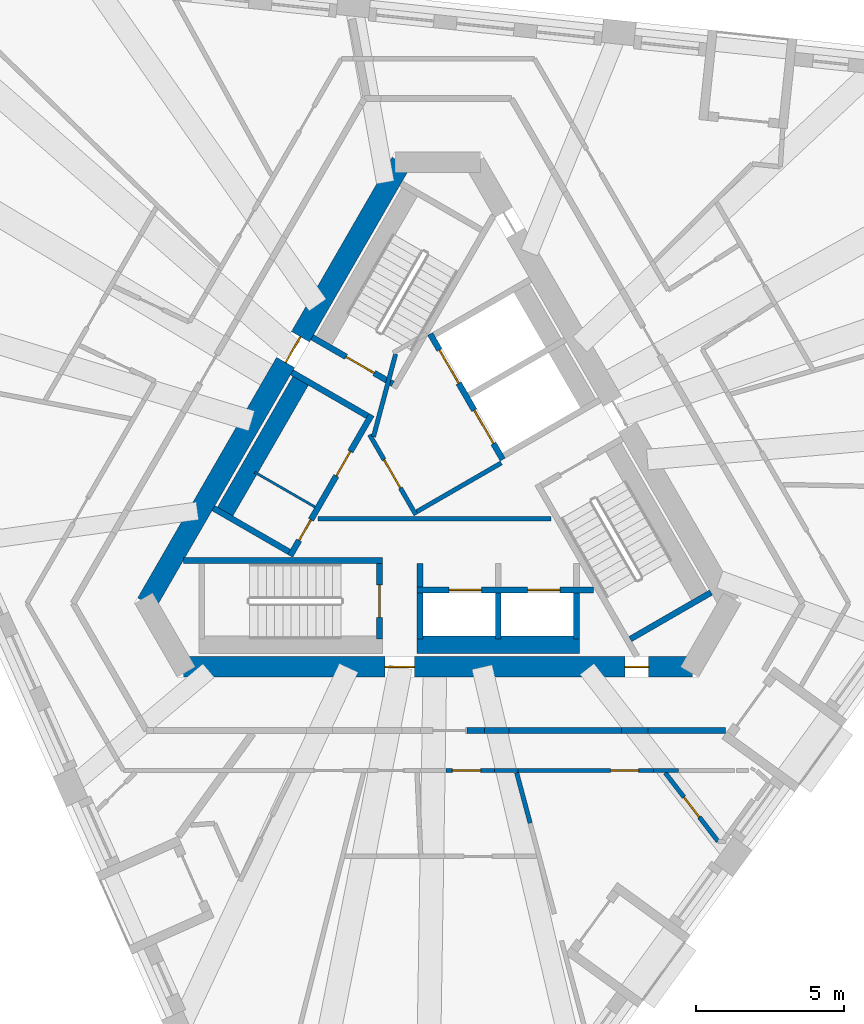
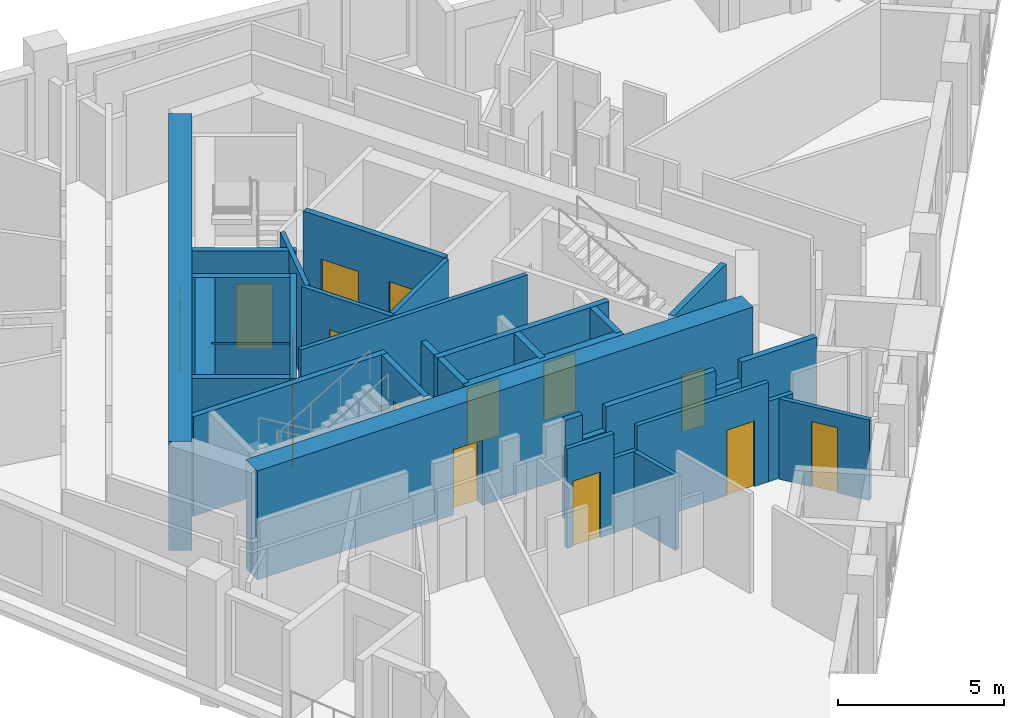
# One storey, part 4 of 11: 33 walls, 15 doors, 15 openings.
"""IFC4 building model written with IfcOpenShell, lengths in metres."""

from ifc_helpers import new_model, si_unit, direction, frame, frame_2d, origin, place, context, subcontext, project, spatial, rectangle, extrude, material, layer, layer_set, type_object, element, fill, save


model = new_model("IFC4")

# Units and contexts
model_context = context("Model", 3, precision=1e-05, world=origin(), true_north=direction((0.0, 1.0)))
body_context = subcontext(model_context, "Body", "Model", "MODEL_VIEW")
ifc_project = project(units=[si_unit("LENGTHUNIT", "METRE"), si_unit("AREAUNIT", "SQUARE_METRE"), si_unit("VOLUMEUNIT", "CUBIC_METRE"), si_unit("PLANEANGLEUNIT", "RADIAN"), si_unit("MASSUNIT", "GRAM", prefix="KILO")], contexts=[model_context])

# Site, building, storey
site_placement = place(None, origin())
site = spatial("IfcSite", under=ifc_project, at=site_placement, CompositionType="ELEMENT")
building_placement = place(site_placement, origin())
building = spatial("IfcBuilding", under=site, at=building_placement, Name="Tramontana Tower", CompositionType="ELEMENT")
storey_placement = place(building_placement, frame((0.0, 0.0, 257.199951171875)))
storey = spatial("IfcBuildingStorey", under=building, at=storey_placement, Name="L60", CompositionType="ELEMENT", Elevation=257.199951171875)

# Wall, opening, door
ifc_material_1 = material(Name="Concrete 70 MPa", Category="concrete")
ifc_layer_1 = layer(ifc_material_1, 0.699951171875)
ifc_layer_set_1 = layer_set([ifc_layer_1], Name="Core wall 700 70 MPa")
wall_type_1 = type_object("IfcWallType", Name="Core wall 700 70 MPa", PredefinedType="SHEAR", material=ifc_layer_set_1)
wall_1_placement = place(storey_placement, frame((-1.2412109375, 10.64990234375, 0.0), z_axis=(0.0, 0.0, 1.0), x_axis=(-0.500003331888, -0.866023480109, 0.0)))
wall_1 = element("IfcWall", 1, at=wall_1_placement, inside=storey, type_object=wall_type_1, Name="Core wall C1 L60", PredefinedType="SHEAR", context=body_context, shape_type="SweptSolid", body=[
    extrude(rectangle(XDim=17.205078125, YDim=0.699951171875, at=frame_2d((8.6025390625, 0.0))), origin(), (0.0, 0.0, 1.0), 4.0),
])
opening_1_placement = place(wall_1_placement, frame((6.8076171875, 0.0, 0.0)))
opening_1 = element("IfcOpeningElement", 2, at=opening_1_placement, cuts=wall_1, Name="Opening RG1", PredefinedType="OPENING", context=body_context, shape_type="SweptSolid", body=[
    extrude(rectangle(XDim=1.0, YDim=2.39990234375, at=frame_2d((0.5, 1.199951171875))), frame((0.0, 0.35986328125, 0.0), z_axis=(0.0, -1.0, 0.0), x_axis=(1.0, 0.0, 0.0)), (0.0, 0.0, 1.0), 0.719970703125),
])
ifc_material_2 = material(Name="Painted steel", Category="steel")
door_type_1 = type_object("IfcDoorType", Name="RING DOOR 1000", OperationType="SINGLE_SWING_LEFT", PredefinedType="DOOR", material=ifc_material_2)
door_1_placement = place(opening_1_placement, origin())
door_1 = element("IfcDoor", 3, at=door_1_placement, inside=storey, type_object=door_type_1, Name="Door RG1", OperationType="SINGLE_SWING_RIGHT", OverallHeight=2.39990234375, OverallWidth=1.0, PredefinedType="DOOR", context=body_context, shape_type="SweptSolid", body=[
    extrude(rectangle(XDim=1.0, YDim=2.39990234375, at=frame_2d((0.5, 1.199951171875))), frame((0.0, 0.02490234375, 0.0), z_axis=(0.0, -1.0, 0.0), x_axis=(1.0, 0.0, 0.0)), (0.0, 0.0, 1.0), 0.050048828125),
])
fill(opening_1, door_1)

# Wall, openings, doors
wall_2_placement = place(storey_placement, frame((-8.6025390625, -6.39990234375, 0.0), z_axis=(0.0, 0.0, 1.0), x_axis=(1.0, 0.0, 0.0)))
wall_2 = element("IfcWall", 4, at=wall_2_placement, inside=storey, type_object=wall_type_1, Name="Core wall C3 L60", PredefinedType="SHEAR", context=body_context, shape_type="SweptSolid", body=[
    extrude(rectangle(XDim=17.205078125, YDim=0.699951171875, at=frame_2d((8.6025390625, 0.0))), origin(), (0.0, 0.0, 1.0), 4.0),
])
opening_2_placement = place(wall_2_placement, frame((6.8076171875, 0.0, 0.0)))
opening_2 = element("IfcOpeningElement", 5, at=opening_2_placement, cuts=wall_2, Name="Opening RG2", PredefinedType="OPENING", context=body_context, shape_type="SweptSolid", body=[
    extrude(rectangle(XDim=1.0, YDim=2.39990234375, at=frame_2d((0.5, 1.199951171875))), frame((0.0, 0.35986328125, 0.0), z_axis=(0.0, -1.0, 0.0), x_axis=(1.0, 0.0, 0.0)), (0.0, 0.0, 1.0), 0.719970703125),
])
opening_3_placement = place(wall_2_placement, frame((14.921630859375, 0.0, 0.0)))
opening_3 = element("IfcOpeningElement", 6, at=opening_3_placement, cuts=wall_2, Name="Opening PD2", PredefinedType="OPENING", context=body_context, shape_type="SweptSolid", body=[
    extrude(rectangle(XDim=0.800048828125, YDim=2.10009765625, at=frame_2d((0.39990234375, 1.050048828125))), frame((0.0, 0.35986328125, 0.0), z_axis=(0.0, -1.0, 0.0), x_axis=(1.0, 0.0, 0.0)), (0.0, 0.0, 1.0), 0.719970703125),
])
ifc_material_3 = material(Name="Painted steel", Category="steel")
door_type_2 = type_object("IfcDoorType", Name="CUPBOARD DOOR 800", OperationType="SINGLE_SWING_LEFT", PredefinedType="DOOR", material=ifc_material_3)
door_2_placement = place(opening_3_placement, origin())
door_2 = element("IfcDoor", 7, at=door_2_placement, inside=storey, type_object=door_type_2, Name="Door PD2", OperationType="SINGLE_SWING_LEFT", OverallHeight=2.10009765625, OverallWidth=0.800048828125, PredefinedType="DOOR", context=body_context, shape_type="SweptSolid", body=[
    extrude(rectangle(XDim=0.800048828125, YDim=2.10009765625, at=frame_2d((0.39990234375, 1.050048828125))), frame((0.0, 0.02490234375, 0.0), z_axis=(0.0, -1.0, 0.0), x_axis=(1.0, 0.0, 0.0)), (0.0, 0.0, 1.0), 0.050048828125),
])
fill(opening_3, door_2)
door_3_placement = place(opening_2_placement, origin())
door_3 = element("IfcDoor", 8, at=door_3_placement, inside=storey, type_object=door_type_1, Name="Door RG2", OperationType="SINGLE_SWING_LEFT", OverallHeight=2.39990234375, OverallWidth=1.0, PredefinedType="DOOR", context=body_context, shape_type="SweptSolid", body=[
    extrude(rectangle(XDim=1.0, YDim=2.39990234375, at=frame_2d((0.5, 1.199951171875))), frame((0.0, 0.02490234375, 0.0), z_axis=(0.0, -1.0, 0.0), x_axis=(1.0, 0.0, 0.0)), (0.0, 0.0, 1.0), 0.050048828125),
])
fill(opening_2, door_3)

# Walls
ifc_material_4 = material(Name="Blockwork", Category="masonry")
ifc_layer_2 = layer(ifc_material_4, 0.199951171875)
ifc_layer_set_2 = layer_set([ifc_layer_2], Name="ENTRY WALL 200")
wall_type_2 = type_object("IfcWallType", Name="ENTRY WALL 200", PredefinedType="SOLIDWALL", material=ifc_layer_set_2)
wall_3_placement = place(storey_placement, frame((9.724609375, -8.550048828125, 0.0), z_axis=(0.0, 0.0, 1.0), x_axis=(-1.0, 0.0, 0.0)))
element("IfcWall", 9, at=wall_3_placement, inside=storey, type_object=wall_type_2, Name="Wall v61-ew1-0", PredefinedType="SOLIDWALL", context=body_context, shape_type="SweptSolid", body=[
    extrude(rectangle(XDim=2.62548828125, YDim=0.199951171875, at=frame_2d((1.312744140625, 0.0))), origin(), (0.0, 0.0, 1.0), 3.650146484375),
])
wall_4_placement = place(storey_placement, frame((7.09912109375, -8.550048828125, 0.0), z_axis=(0.0, 0.0, 1.0), x_axis=(-1.0, 0.0, 0.0)))
element("IfcWall", 10, at=wall_4_placement, inside=storey, type_object=wall_type_2, Name="Wall v61-ew1-1", PredefinedType="SOLIDWALL", context=body_context, shape_type="SweptSolid", body=[
    extrude(rectangle(XDim=0.88720703125, YDim=0.199951171875, at=frame_2d((0.443603515625, 0.0))), origin(), (0.0, 0.0, 1.0), 2.949951171875),
])
wall_5_placement = place(storey_placement, frame((6.2119140625, -8.550048828125, 0.0), z_axis=(0.0, 0.0, 1.0), x_axis=(-1.0, 0.0, 0.0)))
element("IfcWall", 11, at=wall_5_placement, inside=storey, type_object=wall_type_2, Name="Wall v61-ew1-2", PredefinedType="SOLIDWALL", context=body_context, shape_type="SweptSolid", body=[
    extrude(rectangle(XDim=3.810546875, YDim=0.199951171875, at=frame_2d((1.9052734375, 0.0))), origin(), (0.0, 0.0, 1.0), 3.650146484375),
])
wall_6_placement = place(storey_placement, frame((2.4013671875, -8.550048828125, 0.0), z_axis=(0.0, 0.0, 1.0), x_axis=(-1.0, 0.0, 0.0)))
element("IfcWall", 12, at=wall_6_placement, inside=storey, type_object=wall_type_2, Name="Wall v61-ew1-3", PredefinedType="SOLIDWALL", context=body_context, shape_type="SweptSolid", body=[
    extrude(rectangle(XDim=0.8212890625, YDim=0.199951171875, at=frame_2d((0.41064453125, 0.0))), origin(), (0.0, 0.0, 1.0), 2.75),
])
wall_7_placement = place(storey_placement, frame((1.580078125, -8.550048828125, 0.0), z_axis=(0.0, 0.0, 1.0), x_axis=(-1.0, 0.0, 0.0)))
element("IfcWall", 13, at=wall_7_placement, inside=storey, type_object=wall_type_2, Name="Wall v61-ew1-4", PredefinedType="SOLIDWALL", context=body_context, shape_type="SweptSolid", body=[
    extrude(rectangle(XDim=0.599609375, YDim=0.199951171875, at=frame_2d((0.2998046875, 0.0))), origin(), (0.0, 0.0, 1.0), 3.650146484375),
])

# Wall, opening, door
ifc_material_5 = material(Name="Gypsum board partition")
ifc_layer_3 = layer(ifc_material_5, 0.14990234375)
ifc_layer_set_3 = layer_set([ifc_layer_3], Name="PARTITION 150")
wall_type_3 = type_object("IfcWallType", Name="PARTITION 150", PredefinedType="PARTITIONING", material=ifc_layer_set_3)
wall_8_placement = place(storey_placement, frame((-0.744140625, -1.260986328125, 0.0), z_axis=(0.0, 0.0, 1.0), x_axis=(-0.500004234368, 0.866022959057, 0.0)))
wall_8 = element("IfcWall", 14, at=wall_8_placement, inside=storey, type_object=wall_type_3, Name="Wall ff-front", PredefinedType="PARTITIONING", context=body_context, shape_type="SweptSolid", body=[
    extrude(rectangle(XDim=3.125, YDim=0.14990234375, at=frame_2d((1.5625, 0.0))), origin(), (0.0, 0.0, 1.0), 3.650146484375),
])
opening_4_placement = place(wall_8_placement, frame((1.050048828125, 0.0, 0.0)))
opening_4 = element("IfcOpeningElement", 15, at=opening_4_placement, cuts=wall_8, Name="Opening FD1", PredefinedType="OPENING", context=body_context, shape_type="SweptSolid", body=[
    extrude(rectangle(XDim=1.10009765625, YDim=2.39990234375, at=frame_2d((0.550048828125, 1.199951171875))), frame((0.0, 0.0849609375, 0.0), z_axis=(0.0, -1.0, 0.0), x_axis=(1.0, 0.0, 0.0)), (0.0, 0.0, 1.0), 0.169921875),
])
ifc_material_6 = material(Name="Painted timber", Category="wood")
door_type_3 = type_object("IfcDoorType", Name="DOOR ENTRY 1100", OperationType="SINGLE_SWING_LEFT", PredefinedType="DOOR", material=ifc_material_6)
door_4_placement = place(opening_4_placement, origin())
door_4 = element("IfcDoor", 16, at=door_4_placement, inside=storey, type_object=door_type_3, Name="Door FD1", OperationType="SINGLE_SWING_LEFT", OverallHeight=2.39990234375, OverallWidth=1.10009765625, PredefinedType="DOOR", context=body_context, shape_type="SweptSolid", body=[
    extrude(rectangle(XDim=1.10009765625, YDim=2.39990234375, at=frame_2d((0.550048828125, 1.199951171875))), frame((0.0, 0.02490234375, 0.0), z_axis=(0.0, -1.0, 0.0), x_axis=(1.0, 0.0, 0.0)), (0.0, 0.0, 1.0), 0.050048828125),
])
fill(opening_4, door_4)

# Walls
wall_9_placement = place(storey_placement, frame((-0.716796875, -1.15869140625, 0.0), z_axis=(0.0, 0.0, 1.0), x_axis=(0.866008176907, 0.50002983664, 0.0)))
element("IfcWall", 17, at=wall_9_placement, inside=storey, type_object=wall_type_3, Name="Wall ff-end0", PredefinedType="PARTITIONING", context=body_context, shape_type="SweptSolid", body=[
    extrude(rectangle(XDim=3.300048828125, YDim=0.14990234375, at=frame_2d((1.64990234375, 0.0))), origin(), (0.0, 0.0, 1.0), 3.650146484375),
])
wall_10_placement = place(storey_placement, frame((-2.177978515625, 1.372314453125, 0.0), z_axis=(0.0, 0.0, 1.0), x_axis=(0.258808958833, 0.96592852884, 0.0)))
element("IfcWall", 18, at=wall_10_placement, inside=storey, type_object=wall_type_3, Name="Wall ff-diag", PredefinedType="PARTITIONING", context=body_context, shape_type="SweptSolid", body=[
    extrude(rectangle(XDim=2.902587890625, YDim=0.14990234375, at=frame_2d((1.451171875, 0.0))), origin(), (0.0, 0.0, 1.0), 3.650146484375),
])
wall_11_placement = place(storey_placement, frame((-4.053466796875, -1.39990234375, 0.0), z_axis=(0.0, 0.0, 1.0), x_axis=(1.0, 0.0, 0.0)))
element("IfcWall", 19, at=wall_11_placement, inside=storey, type_object=wall_type_3, Name="Wall hub-cut1", PredefinedType="PARTITIONING", context=body_context, shape_type="SweptSolid", body=[
    extrude(rectangle(XDim=7.8759765625, YDim=0.14990234375, at=frame_2d((3.93798828125, 0.0))), origin(), (0.0, 0.0, 1.0), 3.650146484375),
])
wall_12_placement = place(storey_placement, frame((2.662353515625, -9.97509765625, 0.0), z_axis=(0.0, 0.0, 1.0), x_axis=(0.25785226736, -0.966184355192, 0.0)))
element("IfcWall", 20, at=wall_12_placement, inside=storey, type_object=wall_type_3, Name="Wall v61-pw18-0", PredefinedType="PARTITIONING", context=body_context, shape_type="SweptSolid", body=[
    extrude(rectangle(XDim=1.762939453125, YDim=0.14990234375, at=frame_2d((0.88134765625, 0.0))), origin(), (0.0, 0.0, 1.0), 2.75),
])

# Wall, opening, door
wall_13_placement = place(storey_placement, frame((7.68017578125, -9.97509765625, 0.0), z_axis=(0.0, 0.0, 1.0), x_axis=(0.610056512493, -0.792357906229, 0.0)))
wall_13 = element("IfcWall", 21, at=wall_13_placement, inside=storey, type_object=wall_type_3, Name="Wall v61-pw26-0", PredefinedType="PARTITIONING", context=body_context, shape_type="SweptSolid", body=[
    extrude(rectangle(XDim=2.934326171875, YDim=0.14990234375, at=frame_2d((1.46728515625, 0.0))), origin(), (0.0, 0.0, 1.0), 2.949951171875),
])
opening_5_placement = place(wall_13_placement, frame((1.042236328125, 0.0, 0.0)))
opening_5 = element("IfcOpeningElement", 22, at=opening_5_placement, cuts=wall_13, Name="Opening B6B-13", PredefinedType="OPENING", context=body_context, shape_type="SweptSolid", body=[
    extrude(rectangle(XDim=0.85009765625, YDim=2.39990234375, at=frame_2d((0.425048828125, 1.199951171875))), frame((0.0, 0.0849609375, 0.0), z_axis=(0.0, -1.0, 0.0), x_axis=(1.0, 0.0, 0.0)), (0.0, 0.0, 1.0), 0.169921875),
])
ifc_material_7 = material(Name="Painted timber", Category="wood")
door_type_4 = type_object("IfcDoorType", Name="DOOR BATH 850", OperationType="SINGLE_SWING_LEFT", PredefinedType="DOOR", material=ifc_material_7)
door_5_placement = place(opening_5_placement, origin())
door_5 = element("IfcDoor", 23, at=door_5_placement, inside=storey, type_object=door_type_4, Name="Door B6B-13", OperationType="SINGLE_SWING_LEFT", OverallHeight=2.39990234375, OverallWidth=0.85009765625, PredefinedType="DOOR", context=body_context, shape_type="SweptSolid", body=[
    extrude(rectangle(XDim=0.85009765625, YDim=2.39990234375, at=frame_2d((0.425048828125, 1.199951171875))), frame((0.0, 0.02490234375, 0.0), z_axis=(0.0, -1.0, 0.0), x_axis=(1.0, 0.0, 0.0)), (0.0, 0.0, 1.0), 0.050048828125),
])
fill(opening_5, door_5)

# Wall
wall_14_placement = place(storey_placement, frame((8.134033203125, -9.89990234375, 0.0), z_axis=(0.0, 0.0, 1.0), x_axis=(-1.0, 0.0, 0.0)))
element("IfcWall", 24, at=wall_14_placement, inside=storey, type_object=wall_type_3, Name="Wall v61-pw28-1", PredefinedType="PARTITIONING", context=body_context, shape_type="SweptSolid", body=[
    extrude(rectangle(XDim=0.85546875, YDim=0.14990234375, at=frame_2d((0.427734375, 0.0))), origin(), (0.0, 0.0, 1.0), 2.949951171875),
])

# Wall, opening, door
wall_15_placement = place(storey_placement, frame((7.278564453125, -9.89990234375, 0.0), z_axis=(0.0, 0.0, 1.0), x_axis=(-1.0, 0.0, 0.0)))
wall_15 = element("IfcWall", 25, at=wall_15_placement, inside=storey, type_object=wall_type_3, Name="Wall v61-pw28-2", PredefinedType="PARTITIONING", context=body_context, shape_type="SweptSolid", body=[
    extrude(rectangle(XDim=4.57568359375, YDim=0.14990234375, at=frame_2d((2.287841796875, 0.0))), origin(), (0.0, 0.0, 1.0), 3.650146484375),
])
opening_6_placement = place(wall_15_placement, frame((0.492919921875, 0.0, 0.0)))
opening_6 = element("IfcOpeningElement", 26, at=opening_6_placement, cuts=wall_15, Name="Opening B6B-11", PredefinedType="OPENING", context=body_context, shape_type="SweptSolid", body=[
    extrude(rectangle(XDim=0.949951171875, YDim=2.39990234375, at=frame_2d((0.47509765625, 1.199951171875))), frame((0.0, 0.0849609375, 0.0), z_axis=(0.0, -1.0, 0.0), x_axis=(1.0, 0.0, 0.0)), (0.0, 0.0, 1.0), 0.169921875),
])
ifc_material_8 = material(Name="Painted timber", Category="wood")
door_type_5 = type_object("IfcDoorType", Name="DOOR ROOM 950", OperationType="SINGLE_SWING_LEFT", PredefinedType="DOOR", material=ifc_material_8)
door_6_placement = place(opening_6_placement, origin())
door_6 = element("IfcDoor", 27, at=door_6_placement, inside=storey, type_object=door_type_5, Name="Door B6B-11", OperationType="SINGLE_SWING_LEFT", OverallHeight=2.39990234375, OverallWidth=0.949951171875, PredefinedType="DOOR", context=body_context, shape_type="SweptSolid", body=[
    extrude(rectangle(XDim=0.949951171875, YDim=2.39990234375, at=frame_2d((0.47509765625, 1.199951171875))), frame((0.0, 0.02490234375, 0.0), z_axis=(0.0, -1.0, 0.0), x_axis=(1.0, 0.0, 0.0)), (0.0, 0.0, 1.0), 0.050048828125),
])
fill(opening_6, door_6)

# Wall
wall_16_placement = place(storey_placement, frame((2.702880859375, -9.89990234375, 0.0), z_axis=(0.0, 0.0, 1.0), x_axis=(-1.0, 0.0, 0.0)))
element("IfcWall", 28, at=wall_16_placement, inside=storey, type_object=wall_type_3, Name="Wall v61-pw28-3", PredefinedType="PARTITIONING", context=body_context, shape_type="SweptSolid", body=[
    extrude(rectangle(XDim=0.795654296875, YDim=0.14990234375, at=frame_2d((0.39794921875, 0.0))), origin(), (0.0, 0.0, 1.0), 2.75),
])

# Wall, opening, door
wall_17_placement = place(storey_placement, frame((1.9072265625, -9.89990234375, 0.0), z_axis=(0.0, 0.0, 1.0), x_axis=(-1.0, 0.0, 0.0)))
wall_17 = element("IfcWall", 29, at=wall_17_placement, inside=storey, type_object=wall_type_3, Name="Wall v61-pw28-4", PredefinedType="PARTITIONING", context=body_context, shape_type="SweptSolid", body=[
    extrude(rectangle(XDim=1.626220703125, YDim=0.14990234375, at=frame_2d((0.81298828125, 0.0))), origin(), (0.0, 0.0, 1.0), 3.650146484375),
])
opening_7_placement = place(wall_17_placement, frame((0.46484375, 0.0, 0.0)))
opening_7 = element("IfcOpeningElement", 30, at=opening_7_placement, cuts=wall_17, Name="Opening B6B-08", PredefinedType="OPENING", context=body_context, shape_type="SweptSolid", body=[
    extrude(rectangle(XDim=0.949951171875, YDim=2.39990234375, at=frame_2d((0.47509765625, 1.199951171875))), frame((0.0, 0.0849609375, 0.0), z_axis=(0.0, -1.0, 0.0), x_axis=(1.0, 0.0, 0.0)), (0.0, 0.0, 1.0), 0.169921875),
])
door_7_placement = place(opening_7_placement, origin())
door_7 = element("IfcDoor", 31, at=door_7_placement, inside=storey, type_object=door_type_5, Name="Door B6B-08", OperationType="SINGLE_SWING_RIGHT", OverallHeight=2.39990234375, OverallWidth=0.949951171875, PredefinedType="DOOR", context=body_context, shape_type="SweptSolid", body=[
    extrude(rectangle(XDim=0.949951171875, YDim=2.39990234375, at=frame_2d((0.47509765625, 1.199951171875))), frame((0.0, 0.02490234375, 0.0), z_axis=(0.0, -1.0, 0.0), x_axis=(1.0, 0.0, 0.0)), (0.0, 0.0, 1.0), 0.050048828125),
])
fill(opening_7, door_7)

# Walls
ifc_material_9 = material(Name="Gypsum board partition")
ifc_layer_4 = layer(ifc_material_9, 0.080078125)
ifc_layer_set_4 = layer_set([ifc_layer_4], Name="PARTITION 80")
wall_type_4 = type_object("IfcWallType", Name="PARTITION 80", PredefinedType="PARTITIONING", material=ifc_layer_set_4)
wall_18_placement = place(storey_placement, frame((-4.15478515625, -0.99609375, 0.0), z_axis=(0.0, 0.0, 1.0), x_axis=(-0.866016039709, 0.500016218704, 0.0)))
element("IfcWall", 32, at=wall_18_placement, inside=storey, type_object=wall_type_4, Name="Wall row0-split", PredefinedType="PARTITIONING", context=body_context, shape_type="SweptSolid", body=[
    extrude(rectangle(XDim=2.35009765625, YDim=0.080078125, at=frame_2d((1.175048828125, 0.0))), origin(), (0.0, 0.0, 1.0), 3.650146484375),
])
ifc_material_10 = material(Name="Concrete 70 MPa", Category="concrete")
ifc_layer_5 = layer(ifc_material_10, 0.60009765625)
ifc_layer_set_5 = layer_set([ifc_layer_5], Name="Concrete 70 MPa, 600 mm")
wall_type_5 = type_object("IfcWallType", Name="RC SHAFT BACK WALL 600", PredefinedType="SOLIDWALL", material=ifc_layer_set_5)
for number, where, z_axis, x_axis, name in (
    (33, (-4.5380859375, 3.43994140625, 0.0), (0.0, 0.0, 1.0), (-0.499996545922, -0.866027397988, 0.0), "Wall row0-back"),
    (34, (-0.7099609375, -5.64990234375, 0.0), (0.0, 0.0, 1.0), (1.0, 0.0, 0.0), "Wall row1-back"),
):
    element("IfcWall", number, at=place(storey_placement, frame(where, z_axis=z_axis, x_axis=x_axis)), inside=storey, type_object=wall_type_5, Name=name, PredefinedType="SOLIDWALL", context=body_context, shape_type="SweptSolid", body=[
        extrude(rectangle(XDim=5.5, YDim=0.60009765625, at=frame_2d((2.75, 0.0))), origin(), (0.0, 0.0, 1.0), 3.650146484375),
    ])

# Wall, opening, door
ifc_material_11 = material(Name="Concrete 70 MPa", Category="concrete")
ifc_layer_6 = layer(ifc_material_11, 0.199951171875)
ifc_layer_set_6 = layer_set([ifc_layer_6], Name="Concrete 70 MPa, 200 mm")
wall_type_6 = type_object("IfcWallType", Name="RC STAIR AND SHAFT WALL 200", PredefinedType="SOLIDWALL", material=ifc_layer_set_6)
wall_19_placement = place(storey_placement, frame((-1.521484375, 3.164794921875, 0.0), z_axis=(0.0, 0.0, 1.0), x_axis=(-0.866035871367, 0.499981869177, 0.0)))
wall_19 = element("IfcWall", 35, at=wall_19_placement, inside=storey, type_object=wall_type_6, Name="Wall st1-near", PredefinedType="SOLIDWALL", context=body_context, shape_type="SweptSolid", body=[
    extrude(rectangle(XDim=3.14990234375, YDim=0.199951171875, at=frame_2d((1.574951171875, 0.0))), origin(), (0.0, 0.0, 1.0), 3.650146484375),
])
opening_8_placement = place(wall_19_placement, frame((0.72509765625, 0.0, 0.0)))
opening_8 = element("IfcOpeningElement", 36, at=opening_8_placement, cuts=wall_19, Name="Opening SD1", PredefinedType="OPENING", context=body_context, shape_type="SweptSolid", body=[
    extrude(rectangle(XDim=1.10009765625, YDim=2.39990234375, at=frame_2d((0.550048828125, 1.199951171875))), frame((0.0, 0.10986328125, 0.0), z_axis=(0.0, -1.0, 0.0), x_axis=(1.0, 0.0, 0.0)), (0.0, 0.0, 1.0), 0.219970703125),
])
ifc_material_12 = material(Name="Painted steel", Category="steel")
door_type_6 = type_object("IfcDoorType", Name="STAIR DOOR 1100", OperationType="SINGLE_SWING_LEFT", PredefinedType="DOOR", material=ifc_material_12)
door_8_placement = place(opening_8_placement, origin())
door_8 = element("IfcDoor", 37, at=door_8_placement, inside=storey, type_object=door_type_6, Name="Door SD1", OperationType="SINGLE_SWING_RIGHT", OverallHeight=2.39990234375, OverallWidth=1.10009765625, PredefinedType="DOOR", context=body_context, shape_type="SweptSolid", body=[
    extrude(rectangle(XDim=1.10009765625, YDim=2.39990234375, at=frame_2d((0.550048828125, 1.199951171875))), frame((0.0, 0.02490234375, 0.0), z_axis=(0.0, -1.0, 0.0), x_axis=(1.0, 0.0, 0.0)), (0.0, 0.0, 1.0), 0.050048828125),
])
fill(opening_8, door_8)

# Wall
wall_20_placement = place(storey_placement, frame((-8.6025390625, -2.800048828125, 0.0), z_axis=(0.0, 0.0, 1.0), x_axis=(1.0, 0.0, 0.0)))
element("IfcWall", 38, at=wall_20_placement, inside=storey, type_object=wall_type_6, Name="Wall st2-front", PredefinedType="SOLIDWALL", context=body_context, shape_type="SweptSolid", body=[
    extrude(rectangle(XDim=6.72265625, YDim=0.199951171875, at=frame_2d((3.361328125, 0.0))), origin(), (0.0, 0.0, 1.0), 3.650146484375),
])

# Wall, opening, door
wall_21_placement = place(storey_placement, frame((-1.97998046875, -2.89990234375, 0.0), z_axis=(0.0, 0.0, 1.0), x_axis=(0.0, -1.0, 0.0)))
wall_21 = element("IfcWall", 39, at=wall_21_placement, inside=storey, type_object=wall_type_6, Name="Wall st2-near", PredefinedType="SOLIDWALL", context=body_context, shape_type="SweptSolid", body=[
    extrude(rectangle(XDim=2.550048828125, YDim=0.199951171875, at=frame_2d((1.27490234375, 0.0))), origin(), (0.0, 0.0, 1.0), 3.650146484375),
])
opening_9_placement = place(wall_21_placement, frame((0.72509765625, 0.0, 0.0)))
opening_9 = element("IfcOpeningElement", 40, at=opening_9_placement, cuts=wall_21, Name="Opening SD2", PredefinedType="OPENING", context=body_context, shape_type="SweptSolid", body=[
    extrude(rectangle(XDim=1.10009765625, YDim=2.39990234375, at=frame_2d((0.550048828125, 1.199951171875))), frame((0.0, 0.10986328125, 0.0), z_axis=(0.0, -1.0, 0.0), x_axis=(1.0, 0.0, 0.0)), (0.0, 0.0, 1.0), 0.219970703125),
])
door_9_placement = place(opening_9_placement, origin())
door_9 = element("IfcDoor", 41, at=door_9_placement, inside=storey, type_object=door_type_6, Name="Door SD2", OperationType="SINGLE_SWING_LEFT", OverallHeight=2.39990234375, OverallWidth=1.10009765625, PredefinedType="DOOR", context=body_context, shape_type="SweptSolid", body=[
    extrude(rectangle(XDim=1.10009765625, YDim=2.39990234375, at=frame_2d((0.550048828125, 1.199951171875))), frame((0.0, 0.02490234375, 0.0), z_axis=(0.0, -1.0, 0.0), x_axis=(1.0, 0.0, 0.0)), (0.0, 0.0, 1.0), 0.050048828125),
])
fill(opening_9, door_9)

# Wall
wall_22_placement = place(storey_placement, frame((6.50146484375, -5.4609375, 0.0), z_axis=(0.0, 0.0, 1.0), x_axis=(0.866035871367, 0.499981869177, 0.0)))
element("IfcWall", 42, at=wall_22_placement, inside=storey, type_object=wall_type_6, Name="Wall st3-far", PredefinedType="SOLIDWALL", context=body_context, shape_type="SweptSolid", body=[
    extrude(rectangle(XDim=3.14990234375, YDim=0.199951171875, at=frame_2d((1.574951171875, 0.0))), origin(), (0.0, 0.0, 1.0), 3.650146484375),
])

# Wall, openings, doors
wall_23_placement = place(storey_placement, frame((-4.9931640625, -2.648193359375, 0.0), z_axis=(0.0, 0.0, 1.0), x_axis=(0.499996545922, 0.866027397988, 0.0)))
wall_23 = element("IfcWall", 43, at=wall_23_placement, inside=storey, type_object=wall_type_6, Name="Wall row0-front", PredefinedType="SOLIDWALL", context=body_context, shape_type="SweptSolid", body=[
    extrude(rectangle(XDim=5.5, YDim=0.199951171875, at=frame_2d((2.75, 0.0))), origin(), (0.0, 0.0, 1.0), 3.650146484375),
])
opening_10_placement = place(wall_23_placement, frame((3.1201171875, 0.0, 0.0)))
opening_10 = element("IfcOpeningElement", 44, at=opening_10_placement, cuts=wall_23, Name="Opening RD-0A", PredefinedType="OPENING", context=body_context, shape_type="SweptSolid", body=[
    extrude(rectangle(XDim=0.949951171875, YDim=2.39990234375, at=frame_2d((0.47509765625, 1.199951171875))), frame((0.0, 0.10986328125, 0.0), z_axis=(0.0, -1.0, 0.0), x_axis=(1.0, 0.0, 0.0)), (0.0, 0.0, 1.0), 0.219970703125),
])
opening_11_placement = place(wall_23_placement, frame((0.60498046875, 0.0, 0.0)))
opening_11 = element("IfcOpeningElement", 45, at=opening_11_placement, cuts=wall_23, Name="Opening RD-0B", PredefinedType="OPENING", context=body_context, shape_type="SweptSolid", body=[
    extrude(rectangle(XDim=0.800048828125, YDim=2.10009765625, at=frame_2d((0.39990234375, 1.050048828125))), frame((0.0, 0.10986328125, 0.0), z_axis=(0.0, -1.0, 0.0), x_axis=(1.0, 0.0, 0.0)), (0.0, 0.0, 1.0), 0.219970703125),
])
door_10_placement = place(opening_11_placement, origin())
door_10 = element("IfcDoor", 46, at=door_10_placement, inside=storey, type_object=door_type_2, Name="Door RD-0B", OperationType="SINGLE_SWING_RIGHT", OverallHeight=2.10009765625, OverallWidth=0.800048828125, PredefinedType="DOOR", context=body_context, shape_type="SweptSolid", body=[
    extrude(rectangle(XDim=0.800048828125, YDim=2.10009765625, at=frame_2d((0.39990234375, 1.050048828125))), frame((0.0, 0.02490234375, 0.0), z_axis=(0.0, -1.0, 0.0), x_axis=(1.0, 0.0, 0.0)), (0.0, 0.0, 1.0), 0.050048828125),
])
fill(opening_11, door_10)
door_11_placement = place(opening_10_placement, origin())
door_11 = element("IfcDoor", 47, at=door_11_placement, inside=storey, type_object=door_type_5, Name="Door RD-0A", OperationType="SINGLE_SWING_LEFT", OverallHeight=2.39990234375, OverallWidth=0.949951171875, PredefinedType="DOOR", context=body_context, shape_type="SweptSolid", body=[
    extrude(rectangle(XDim=0.949951171875, YDim=2.39990234375, at=frame_2d((0.47509765625, 1.199951171875))), frame((0.0, 0.02490234375, 0.0), z_axis=(0.0, -1.0, 0.0), x_axis=(1.0, 0.0, 0.0)), (0.0, 0.0, 1.0), 0.050048828125),
])
fill(opening_10, door_11)

# Walls
for number, where, z_axis, x_axis, name in (
    (48, (-2.379638671875, 2.078369140625, 0.0), (0.0, 0.0, 1.0), (-0.866060182126, 0.499939757307, 0.0), "Wall row0-side0"),
    (49, (-5.02978515625, -2.51171875, 0.0), (0.0, 0.0, 1.0), (-0.866003658127, 0.500037662692, 0.0), "Wall row0-side2"),
):
    element("IfcWall", number, at=place(storey_placement, frame(where, z_axis=z_axis, x_axis=x_axis)), inside=storey, type_object=wall_type_6, Name=name, PredefinedType="SOLIDWALL", context=body_context, shape_type="SweptSolid", body=[
        extrude(rectangle(XDim=2.949951171875, YDim=0.199951171875, at=frame_2d((1.47509765625, 0.0))), origin(), (0.0, 0.0, 1.0), 3.650146484375),
    ])

# Wall, openings, doors
wall_24_placement = place(storey_placement, frame((-0.7099609375, -3.800048828125, 0.0), z_axis=(0.0, 0.0, 1.0), x_axis=(1.0, 0.0, 0.0)))
wall_24 = element("IfcWall", 50, at=wall_24_placement, inside=storey, type_object=wall_type_6, Name="Wall row1-front", PredefinedType="SOLIDWALL", context=body_context, shape_type="SweptSolid", body=[
    extrude(rectangle(XDim=5.96142578125, YDim=0.199951171875, at=frame_2d((2.980712890625, 0.0))), origin(), (0.0, 0.0, 1.0), 3.650146484375),
])
opening_12_placement = place(wall_24_placement, frame((1.090087890625, 0.0, 0.0)))
opening_12 = element("IfcOpeningElement", 51, at=opening_12_placement, cuts=wall_24, Name="Opening LD-S1", PredefinedType="OPENING", context=body_context, shape_type="SweptSolid", body=[
    extrude(rectangle(XDim=1.10009765625, YDim=2.10009765625, at=frame_2d((0.550048828125, 1.050048828125))), frame((0.0, 0.10986328125, 0.0), z_axis=(0.0, -1.0, 0.0), x_axis=(1.0, 0.0, 0.0)), (0.0, 0.0, 1.0), 0.219970703125),
])
opening_13_placement = place(wall_24_placement, frame((3.739990234375, 0.0, 0.0)))
opening_13 = element("IfcOpeningElement", 52, at=opening_13_placement, cuts=wall_24, Name="Opening LD-S2", PredefinedType="OPENING", context=body_context, shape_type="SweptSolid", body=[
    extrude(rectangle(XDim=1.10009765625, YDim=2.10009765625, at=frame_2d((0.550048828125, 1.050048828125))), frame((0.0, 0.10986328125, 0.0), z_axis=(0.0, -1.0, 0.0), x_axis=(1.0, 0.0, 0.0)), (0.0, 0.0, 1.0), 0.219970703125),
])
ifc_material_13 = material(Name="Brushed steel", Category="steel")
door_type_7 = type_object("IfcDoorType", Name="LANDING DOOR 1100", OperationType="SINGLE_SWING_LEFT", PredefinedType="DOOR", material=ifc_material_13)
door_12_placement = place(opening_12_placement, origin())
door_12 = element("IfcDoor", 53, at=door_12_placement, inside=storey, type_object=door_type_7, Name="Door LD-S1", OperationType="SLIDING_TO_LEFT", OverallHeight=2.10009765625, OverallWidth=1.10009765625, PredefinedType="DOOR", context=body_context, shape_type="SweptSolid", body=[
    extrude(rectangle(XDim=1.10009765625, YDim=2.10009765625, at=frame_2d((0.550048828125, 1.050048828125))), frame((0.0, 0.02490234375, 0.0), z_axis=(0.0, -1.0, 0.0), x_axis=(1.0, 0.0, 0.0)), (0.0, 0.0, 1.0), 0.050048828125),
])
fill(opening_12, door_12)
door_13_placement = place(opening_13_placement, origin())
door_13 = element("IfcDoor", 54, at=door_13_placement, inside=storey, type_object=door_type_7, Name="Door LD-S2", OperationType="SLIDING_TO_RIGHT", OverallHeight=2.10009765625, OverallWidth=1.10009765625, PredefinedType="DOOR", context=body_context, shape_type="SweptSolid", body=[
    extrude(rectangle(XDim=1.10009765625, YDim=2.10009765625, at=frame_2d((0.550048828125, 1.050048828125))), frame((0.0, 0.02490234375, 0.0), z_axis=(0.0, -1.0, 0.0), x_axis=(1.0, 0.0, 0.0)), (0.0, 0.0, 1.0), 0.050048828125),
])
fill(opening_13, door_13)

# Walls
wall_25_placement = place(storey_placement, frame((-0.610107421875, -3.89990234375, 0.0), z_axis=(0.0, 0.0, 1.0), x_axis=(0.0, -1.0, 0.0)))
element("IfcWall", 55, at=wall_25_placement, inside=storey, type_object=wall_type_6, Name="Wall row1-side0", PredefinedType="SOLIDWALL", context=body_context, shape_type="SweptSolid", body=[
    extrude(rectangle(XDim=1.550048828125, YDim=0.199951171875, at=frame_2d((0.77490234375, 0.0))), origin(), (0.0, 0.0, 1.0), 3.650146484375),
])
wall_26_placement = place(storey_placement, frame((-0.610107421875, -2.89990234375, 0.0), z_axis=(0.0, 0.0, 1.0), x_axis=(0.0, -1.0, 0.0)))
element("IfcWall", 56, at=wall_26_placement, inside=storey, type_object=wall_type_6, Name="Wall row1-side0-ret", PredefinedType="SOLIDWALL", context=body_context, shape_type="SweptSolid", body=[
    extrude(rectangle(XDim=0.800048828125, YDim=0.199951171875, at=frame_2d((0.39990234375, 0.0))), origin(), (0.0, 0.0, 1.0), 3.650146484375),
])
for number, where, z_axis, x_axis, name in (
    (57, (2.0400390625, -3.89990234375, 0.0), (0.0, 0.0, 1.0), (0.0, -1.0, 0.0), "Wall row1-side1"),
    (58, (4.68994140625, -3.89990234375, 0.0), (0.0, 0.0, 1.0), (0.0, -1.0, 0.0), "Wall row1-side2"),
):
    element("IfcWall", number, at=place(storey_placement, frame(where, z_axis=z_axis, x_axis=x_axis)), inside=storey, type_object=wall_type_6, Name=name, PredefinedType="SOLIDWALL", context=body_context, shape_type="SweptSolid", body=[
        extrude(rectangle(XDim=1.550048828125, YDim=0.199951171875, at=frame_2d((0.77490234375, 0.0))), origin(), (0.0, 0.0, 1.0), 3.650146484375),
    ])

# Wall, openings, doors
wall_27_placement = place(storey_placement, frame((2.190185546875, 0.6064453125, 0.0), z_axis=(0.0, 0.0, 1.0), x_axis=(-0.500002801628, 0.866023786258, 0.0)))
wall_27 = element("IfcWall", 59, at=wall_27_placement, inside=storey, type_object=wall_type_6, Name="Wall row2-front", PredefinedType="SOLIDWALL", context=body_context, shape_type="SweptSolid", body=[
    extrude(rectangle(XDim=4.89990234375, YDim=0.199951171875, at=frame_2d((2.449951171875, 0.0))), origin(), (0.0, 0.0, 1.0), 3.650146484375),
])
opening_14_placement = place(wall_27_placement, frame((0.625, 0.0, 0.0)))
opening_14 = element("IfcOpeningElement", 60, at=opening_14_placement, cuts=wall_27, Name="Opening LD-F1", PredefinedType="OPENING", context=body_context, shape_type="SweptSolid", body=[
    extrude(rectangle(XDim=1.300048828125, YDim=2.10009765625, at=frame_2d((0.64990234375, 1.050048828125))), frame((0.0, 0.10986328125, 0.0), z_axis=(0.0, -1.0, 0.0), x_axis=(1.0, 0.0, 0.0)), (0.0, 0.0, 1.0), 0.219970703125),
])
opening_15_placement = place(wall_27_placement, frame((2.97509765625, 0.0, 0.0)))
opening_15 = element("IfcOpeningElement", 61, at=opening_15_placement, cuts=wall_27, Name="Opening LD-F2", PredefinedType="OPENING", context=body_context, shape_type="SweptSolid", body=[
    extrude(rectangle(XDim=1.300048828125, YDim=2.10009765625, at=frame_2d((0.64990234375, 1.050048828125))), frame((0.0, 0.10986328125, 0.0), z_axis=(0.0, -1.0, 0.0), x_axis=(1.0, 0.0, 0.0)), (0.0, 0.0, 1.0), 0.219970703125),
])
ifc_material_14 = material(Name="Brushed steel", Category="steel")
door_type_8 = type_object("IfcDoorType", Name="LANDING DOOR 1300", OperationType="SINGLE_SWING_LEFT", PredefinedType="DOOR", material=ifc_material_14)
door_14_placement = place(opening_14_placement, origin())
door_14 = element("IfcDoor", 62, at=door_14_placement, inside=storey, type_object=door_type_8, Name="Door LD-F1", OperationType="SLIDING_TO_LEFT", OverallHeight=2.10009765625, OverallWidth=1.300048828125, PredefinedType="DOOR", context=body_context, shape_type="SweptSolid", body=[
    extrude(rectangle(XDim=1.300048828125, YDim=2.10009765625, at=frame_2d((0.64990234375, 1.050048828125))), frame((0.0, 0.02490234375, 0.0), z_axis=(0.0, -1.0, 0.0), x_axis=(1.0, 0.0, 0.0)), (0.0, 0.0, 1.0), 0.050048828125),
])
fill(opening_14, door_14)
door_15_placement = place(opening_15_placement, origin())
door_15 = element("IfcDoor", 63, at=door_15_placement, inside=storey, type_object=door_type_8, Name="Door LD-F2", OperationType="SLIDING_TO_RIGHT", OverallHeight=2.10009765625, OverallWidth=1.300048828125, PredefinedType="DOOR", context=body_context, shape_type="SweptSolid", body=[
    extrude(rectangle(XDim=1.300048828125, YDim=2.10009765625, at=frame_2d((0.64990234375, 1.050048828125))), frame((0.0, 0.02490234375, 0.0), z_axis=(0.0, -1.0, 0.0), x_axis=(1.0, 0.0, 0.0)), (0.0, 0.0, 1.0), 0.050048828125),
])
fill(opening_15, door_15)

save(model, "model.ifc")
